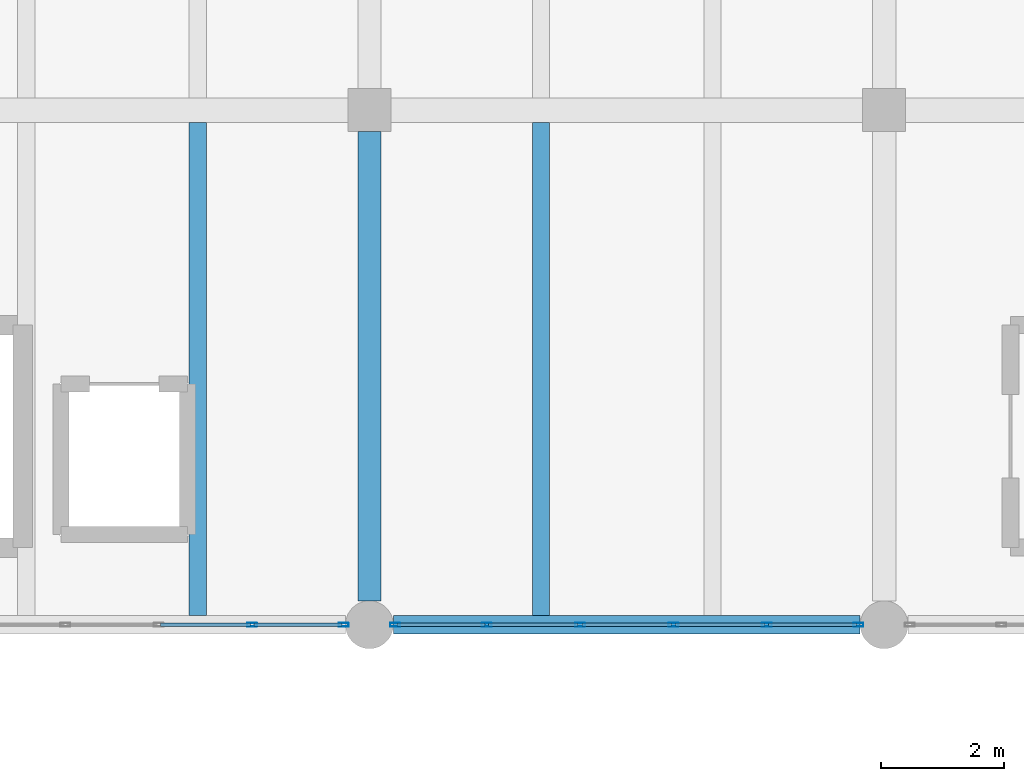
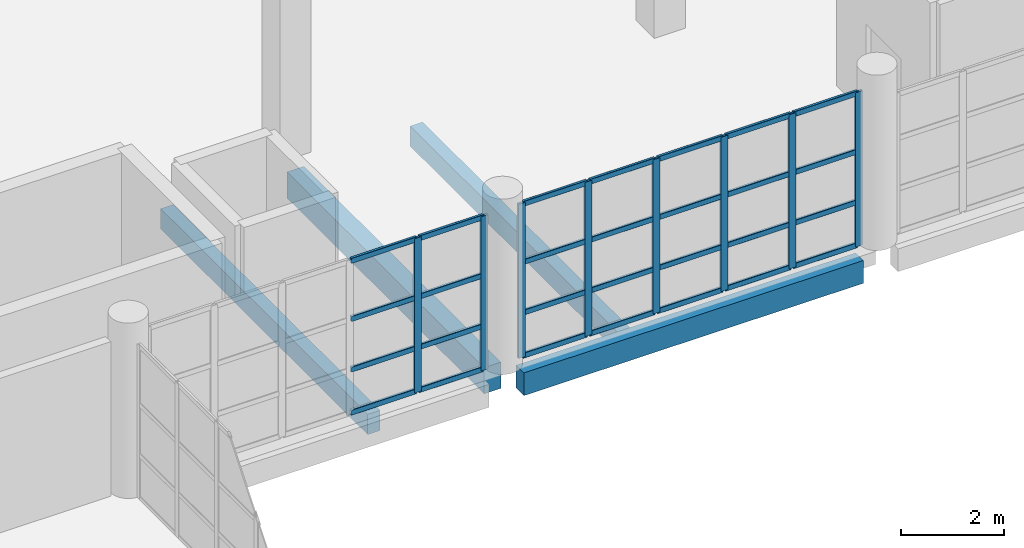
# One storey, part 85 of 177: 36 members, 4 beams, 2 elements without a shape of their own.
"""IFC4 building model written with IfcOpenShell, lengths in metres."""

from ifc_helpers import new_model, si_unit, direction, frame, origin, origin_2d, place, context, subcontext, project, spatial, rectangle, hollow_rectangle, extrude, material, layer, layer_set, material_profile, profile_set, type_object, element, aggregate, save


model = new_model("IFC4")

# Units and contexts
model_context = context("Model", 3, precision=1e-05, world=origin(), true_north=direction((0.0, 1.0)))
body_context = subcontext(model_context, "Body", "Model", "MODEL_VIEW")
ifc_project = project(units=[si_unit("LENGTHUNIT", "METRE"), si_unit("AREAUNIT", "SQUARE_METRE"), si_unit("VOLUMEUNIT", "CUBIC_METRE"), si_unit("PLANEANGLEUNIT", "RADIAN"), si_unit("MASSUNIT", "GRAM", prefix="KILO"), si_unit("THERMODYNAMICTEMPERATUREUNIT", "KELVIN"), si_unit("POWERUNIT", "WATT")], contexts=[model_context])

# Site, building, storey
site_placement = place(None, origin())
site = spatial("IfcSite", under=ifc_project, at=site_placement, CompositionType="ELEMENT")
building_placement = place(site_placement, origin())
building = spatial("IfcBuilding", under=site, at=building_placement, Name="Mavoryth Pier Ferry Terminal", CompositionType="ELEMENT")
storey_placement = place(building_placement, frame((0.0, 0.0, 5.43994140625)))
storey = spatial("IfcBuildingStorey", under=building, at=storey_placement, Name="L01", CompositionType="ELEMENT", Elevation=5.43994140625)

# Beams
ifc_material_1 = material(Name="Concrete C35/45", Category="concrete")
ifc_material_profile_1 = material_profile(ifc_material_1, rectangle(XDim=0.3798828125, YDim=0.6201171875, at=origin_2d()), Name="RC 380x620", Category="concrete")
ifc_profile_set_1 = profile_set([ifc_material_profile_1], Name="Concrete C35/45 - RC 380x620")
beam_type_1 = type_object("IfcBeamType", Name="Girder-RC-380x620", PredefinedType="BEAM", material=ifc_profile_set_1)
beam_1_placement = place(storey_placement, frame((67.199951171875, 72.7900390625, -0.58984375), z_axis=(0.0, 1.0, 0.0), x_axis=(-1.0, 0.0, 0.0)))
element("IfcBeam", 1, at=beam_1_placement, inside=storey, type_object=beam_type_1, Name="Beam B01-BG06-0211", PredefinedType="BEAM", context=body_context, shape_type="SweptSolid", body=[
    extrude(rectangle(XDim=0.3798828125, YDim=0.6201171875, at=origin_2d()), origin(), (0.0, 0.0, 1.0), 7.659912109375),
])
ifc_material_profile_2 = material_profile(ifc_material_1, rectangle(XDim=0.280029296875, YDim=0.47998046875, at=origin_2d()), Name="RC 280x480", Category="concrete")
ifc_profile_set_2 = profile_set([ifc_material_profile_2], Name="Concrete C35/45 - RC 280x480")
beam_type_2 = type_object("IfcBeamType", Name="Joist-RC-280x480", PredefinedType="JOIST", material=ifc_profile_set_2)
for number, where, z_axis, x_axis, name in (
    (2, (64.39990234375, 72.550048828125, -0.52001953125), (0.0, 1.0, 0.0), (-1.0, 0.0, 0.0), "Beam B01-BJ02-0234"),
    (3, (70.0, 72.550048828125, -0.52001953125), (0.0, 1.0, 0.0), (-1.0, 0.0, 0.0), "Beam B01-BJ02-0239"),
):
    element("IfcBeam", number, at=place(storey_placement, frame(where, z_axis=z_axis, x_axis=x_axis)), inside=storey, type_object=beam_type_2, Name=name, PredefinedType="JOIST", context=body_context, shape_type="SweptSolid", body=[
        extrude(rectangle(XDim=0.280029296875, YDim=0.47998046875, at=origin_2d()), origin(), (0.0, 0.0, 1.0), 8.050048828125),
    ])

# Curtain wall, members
ifc_material_2 = material(Name="Anodised Aluminium and Solar-Control Low-E Glass", Category="aluminium")
ifc_layer = layer(ifc_material_2, 0.159912109375, Name="Anodised Aluminium and Solar-Control Low-E Glass", Category="aluminium")
ifc_layer_set = layer_set([ifc_layer], Name="Anodised Aluminium and Solar-Control Low-E Glass - CW-Arrivals-Mod1400")
curtain_wall_type = type_object("IfcCurtainWallType", Name="CW-Arrivals-Mod1400", PredefinedType="USERDEFINED", material=ifc_layer_set)
curtain_wall_1_placement = place(storey_placement, origin())
curtain_wall_1 = element("IfcCurtainWall", 4, at=curtain_wall_1_placement, inside=storey, type_object=curtain_wall_type, Name="Curtain Wall CW-0122-053", ObjectType="UNITISED CURTAIN WALL", PredefinedType="USERDEFINED")
ifc_material_3 = material(Name="Anodised Aluminium EN AW-6063", Category="aluminium")
ifc_material_profile_3 = material_profile(ifc_material_3, hollow_rectangle(XDim=0.06005859375, YDim=0.1650390625, WallThickness=0.00390625, InnerFilletRadius=0.00390625, OuterFilletRadius=0.008056640625, at=origin_2d()), Name="AL-MULL 165x60x4", Category="aluminium")
ifc_profile_set_3 = profile_set([ifc_material_profile_3], Name="Anodised Aluminium EN AW-6063 - AL-MULL 165x60x4")
member_type_1 = type_object("IfcMemberType", Name="Mullion-Alum-165x60", PredefinedType="MULLION", material=ifc_profile_set_3)
member_1_placement = place(storey_placement, frame((65.285888671875, 72.39990234375, 0.0), z_axis=(0.0, 0.0, 1.0), x_axis=(0.0, 1.0, 0.0)))
member_1 = element("IfcMember", 5, at=member_1_placement, type_object=member_type_1, Name="CW04 mullion 5", PredefinedType="MULLION", context=body_context, shape_type="SweptSolid", body=[
    extrude(hollow_rectangle(XDim=0.06005859375, YDim=0.1650390625, WallThickness=0.00390625, InnerFilletRadius=0.00390625, OuterFilletRadius=0.008056640625, at=origin_2d()), origin(), (0.0, 0.0, 1.0), 3.66015625),
])
member_2_placement = place(storey_placement, frame((66.780029296875, 72.39990234375, 0.0), z_axis=(0.0, 0.0, 1.0), x_axis=(0.0, 1.0, 0.0)))
member_2 = element("IfcMember", 6, at=member_2_placement, type_object=member_type_1, Name="CW04 mullion 6", PredefinedType="MULLION", context=body_context, shape_type="SweptSolid", body=[
    extrude(hollow_rectangle(XDim=0.06005859375, YDim=0.1650390625, WallThickness=0.00390625, InnerFilletRadius=0.00390625, OuterFilletRadius=0.008056640625, at=origin_2d()), origin(), (0.0, 0.0, 1.0), 3.66015625),
])

curtain_wall_2_placement = place(storey_placement, origin())
curtain_wall_2 = element("IfcCurtainWall", 7, at=curtain_wall_2_placement, inside=storey, type_object=curtain_wall_type, Name="Curtain Wall CW-0122-056", ObjectType="UNITISED CURTAIN WALL", PredefinedType="USERDEFINED")
member_3_placement = place(storey_placement, frame((67.6201171875, 72.39990234375, 0.0), z_axis=(0.0, 0.0, 1.0), x_axis=(0.0, 1.0, 0.0)))
member_3 = element("IfcMember", 8, at=member_3_placement, type_object=member_type_1, Name="CW04 mullion 1", PredefinedType="MULLION", context=body_context, shape_type="SweptSolid", body=[
    extrude(hollow_rectangle(XDim=0.06005859375, YDim=0.1650390625, WallThickness=0.00390625, InnerFilletRadius=0.00390625, OuterFilletRadius=0.008056640625, at=origin_2d()), origin(), (0.0, 0.0, 1.0), 3.66015625),
])
member_4_placement = place(storey_placement, frame((69.114013671875, 72.39990234375, 0.0), z_axis=(0.0, 0.0, 1.0), x_axis=(0.0, 1.0, 0.0)))
member_4 = element("IfcMember", 9, at=member_4_placement, type_object=member_type_1, Name="CW04 mullion 2", PredefinedType="MULLION", context=body_context, shape_type="SweptSolid", body=[
    extrude(hollow_rectangle(XDim=0.06005859375, YDim=0.1650390625, WallThickness=0.00390625, InnerFilletRadius=0.00390625, OuterFilletRadius=0.008056640625, at=origin_2d()), origin(), (0.0, 0.0, 1.0), 3.66015625),
])
member_5_placement = place(storey_placement, frame((70.637939453125, 72.39990234375, 0.0), z_axis=(0.0, 0.0, 1.0), x_axis=(0.0, 1.0, 0.0)))
member_5 = element("IfcMember", 10, at=member_5_placement, type_object=member_type_1, Name="CW04 mullion 3", PredefinedType="MULLION", context=body_context, shape_type="SweptSolid", body=[
    extrude(hollow_rectangle(XDim=0.06005859375, YDim=0.1650390625, WallThickness=0.00390625, InnerFilletRadius=0.00390625, OuterFilletRadius=0.008056640625, at=origin_2d()), origin(), (0.0, 0.0, 1.0), 3.66015625),
])
member_6_placement = place(storey_placement, frame((72.162109375, 72.39990234375, 0.0), z_axis=(0.0, 0.0, 1.0), x_axis=(0.0, 1.0, 0.0)))
member_6 = element("IfcMember", 11, at=member_6_placement, type_object=member_type_1, Name="CW04 mullion 4", PredefinedType="MULLION", context=body_context, shape_type="SweptSolid", body=[
    extrude(hollow_rectangle(XDim=0.06005859375, YDim=0.1650390625, WallThickness=0.00390625, InnerFilletRadius=0.00390625, OuterFilletRadius=0.008056640625, at=origin_2d()), origin(), (0.0, 0.0, 1.0), 3.66015625),
])
member_7_placement = place(storey_placement, frame((73.68603515625, 72.39990234375, 0.0), z_axis=(0.0, 0.0, 1.0), x_axis=(0.0, 1.0, 0.0)))
member_7 = element("IfcMember", 12, at=member_7_placement, type_object=member_type_1, Name="CW04 mullion 5", PredefinedType="MULLION", context=body_context, shape_type="SweptSolid", body=[
    extrude(hollow_rectangle(XDim=0.06005859375, YDim=0.1650390625, WallThickness=0.00390625, InnerFilletRadius=0.00390625, OuterFilletRadius=0.008056640625, at=origin_2d()), origin(), (0.0, 0.0, 1.0), 3.66015625),
])
member_8_placement = place(storey_placement, frame((75.179931640625, 72.39990234375, 0.0), z_axis=(0.0, 0.0, 1.0), x_axis=(0.0, 1.0, 0.0)))
member_8 = element("IfcMember", 13, at=member_8_placement, type_object=member_type_1, Name="CW04 mullion 6", PredefinedType="MULLION", context=body_context, shape_type="SweptSolid", body=[
    extrude(hollow_rectangle(XDim=0.06005859375, YDim=0.1650390625, WallThickness=0.00390625, InnerFilletRadius=0.00390625, OuterFilletRadius=0.008056640625, at=origin_2d()), origin(), (0.0, 0.0, 1.0), 3.66015625),
])

# Beam
ifc_material_profile_4 = material_profile(ifc_material_1, rectangle(XDim=0.300048828125, YDim=0.5400390625, at=origin_2d()), Name="RC 300x540", Category="concrete")
ifc_profile_set_4 = profile_set([ifc_material_profile_4], Name="Concrete C35/45 - RC 300x540")
beam_type_3 = type_object("IfcBeamType", Name="Spandrel-RC-300x540", PredefinedType="SPANDREL", material=ifc_profile_set_4)
beam_2_placement = place(storey_placement, frame((67.590087890625, 72.39990234375, -0.550048828125), z_axis=(1.0, 0.0, 0.0), x_axis=(0.0, 1.0, 0.0)))
element("IfcBeam", 14, at=beam_2_placement, inside=storey, type_object=beam_type_3, Name="Beam B01-SP02-0181", PredefinedType="SPANDREL", context=body_context, shape_type="SweptSolid", body=[
    extrude(rectangle(XDim=0.300048828125, YDim=0.5400390625, at=origin_2d()), origin(), (0.0, 0.0, 1.0), 7.619873046875),
])

# Member
ifc_material_profile_5 = material_profile(ifc_material_3, hollow_rectangle(XDim=0.06005859375, YDim=0.125, WallThickness=0.00390625, InnerFilletRadius=0.00390625, OuterFilletRadius=0.008056640625, at=origin_2d()), Name="AL-TRAN 125x60x4", Category="aluminium")
ifc_profile_set_5 = profile_set([ifc_material_profile_5], Name="Anodised Aluminium EN AW-6063 - AL-TRAN 125x60x4")
member_type_2 = type_object("IfcMemberType", Name="Transom-Alum-125x60", PredefinedType="USERDEFINED", material=ifc_profile_set_5)
member_9_placement = place(storey_placement, frame((63.7919921875, 72.39990234375, 0.030029296875), z_axis=(1.0, 0.0, 0.0), x_axis=(0.0, 1.0, 0.0)))
member_9 = element("IfcMember", 15, at=member_9_placement, type_object=member_type_2, Name="CW04 transom 4.1", ObjectType="TRANSOM", PredefinedType="USERDEFINED", context=body_context, shape_type="SweptSolid", body=[
    extrude(hollow_rectangle(XDim=0.06005859375, YDim=0.125, WallThickness=0.00390625, InnerFilletRadius=0.00390625, OuterFilletRadius=0.008056640625, at=origin_2d()), origin(), (0.0, 0.0, 1.0), 1.464111328125),
])

member_10_placement = place(storey_placement, frame((63.7919921875, 72.39990234375, 1.050048828125), z_axis=(1.0, 0.0, 0.0), x_axis=(0.0, 1.0, 0.0)))
member_10 = element("IfcMember", 16, at=member_10_placement, type_object=member_type_2, Name="CW04 transom 4.2", ObjectType="TRANSOM", PredefinedType="USERDEFINED", context=body_context, shape_type="SweptSolid", body=[
    extrude(hollow_rectangle(XDim=0.06005859375, YDim=0.125, WallThickness=0.00390625, InnerFilletRadius=0.00390625, OuterFilletRadius=0.008056640625, at=origin_2d()), origin(), (0.0, 0.0, 1.0), 1.464111328125),
])

member_11_placement = place(storey_placement, frame((63.7919921875, 72.39990234375, 2.25), z_axis=(1.0, 0.0, 0.0), x_axis=(0.0, 1.0, 0.0)))
member_11 = element("IfcMember", 17, at=member_11_placement, type_object=member_type_2, Name="CW04 transom 4.3", ObjectType="TRANSOM", PredefinedType="USERDEFINED", context=body_context, shape_type="SweptSolid", body=[
    extrude(hollow_rectangle(XDim=0.06005859375, YDim=0.125, WallThickness=0.00390625, InnerFilletRadius=0.00390625, OuterFilletRadius=0.008056640625, at=origin_2d()), origin(), (0.0, 0.0, 1.0), 1.464111328125),
])

member_12_placement = place(storey_placement, frame((63.7919921875, 72.39990234375, 3.630126953125), z_axis=(1.0, 0.0, 0.0), x_axis=(0.0, 1.0, 0.0)))
member_12 = element("IfcMember", 18, at=member_12_placement, type_object=member_type_2, Name="CW04 transom 4.4", ObjectType="TRANSOM", PredefinedType="USERDEFINED", context=body_context, shape_type="SweptSolid", body=[
    extrude(hollow_rectangle(XDim=0.06005859375, YDim=0.125, WallThickness=0.00390625, InnerFilletRadius=0.00390625, OuterFilletRadius=0.008056640625, at=origin_2d()), origin(), (0.0, 0.0, 1.0), 1.464111328125),
])

member_13_placement = place(storey_placement, frame((65.31591796875, 72.39990234375, 0.030029296875), z_axis=(1.0, 0.0, 0.0), x_axis=(0.0, 1.0, 0.0)))
member_13 = element("IfcMember", 19, at=member_13_placement, type_object=member_type_2, Name="CW04 transom 5.1", ObjectType="TRANSOM", PredefinedType="USERDEFINED", context=body_context, shape_type="SweptSolid", body=[
    extrude(hollow_rectangle(XDim=0.06005859375, YDim=0.125, WallThickness=0.00390625, InnerFilletRadius=0.00390625, OuterFilletRadius=0.008056640625, at=origin_2d()), origin(), (0.0, 0.0, 1.0), 1.43408203125),
])

member_14_placement = place(storey_placement, frame((65.31591796875, 72.39990234375, 1.050048828125), z_axis=(1.0, 0.0, 0.0), x_axis=(0.0, 1.0, 0.0)))
member_14 = element("IfcMember", 20, at=member_14_placement, type_object=member_type_2, Name="CW04 transom 5.2", ObjectType="TRANSOM", PredefinedType="USERDEFINED", context=body_context, shape_type="SweptSolid", body=[
    extrude(hollow_rectangle(XDim=0.06005859375, YDim=0.125, WallThickness=0.00390625, InnerFilletRadius=0.00390625, OuterFilletRadius=0.008056640625, at=origin_2d()), origin(), (0.0, 0.0, 1.0), 1.43408203125),
])

member_15_placement = place(storey_placement, frame((65.31591796875, 72.39990234375, 2.25), z_axis=(1.0, 0.0, 0.0), x_axis=(0.0, 1.0, 0.0)))
member_15 = element("IfcMember", 21, at=member_15_placement, type_object=member_type_2, Name="CW04 transom 5.3", ObjectType="TRANSOM", PredefinedType="USERDEFINED", context=body_context, shape_type="SweptSolid", body=[
    extrude(hollow_rectangle(XDim=0.06005859375, YDim=0.125, WallThickness=0.00390625, InnerFilletRadius=0.00390625, OuterFilletRadius=0.008056640625, at=origin_2d()), origin(), (0.0, 0.0, 1.0), 1.43408203125),
])

member_16_placement = place(storey_placement, frame((65.31591796875, 72.39990234375, 3.630126953125), z_axis=(1.0, 0.0, 0.0), x_axis=(0.0, 1.0, 0.0)))
member_16 = element("IfcMember", 22, at=member_16_placement, type_object=member_type_2, Name="CW04 transom 5.4", ObjectType="TRANSOM", PredefinedType="USERDEFINED", context=body_context, shape_type="SweptSolid", body=[
    extrude(hollow_rectangle(XDim=0.06005859375, YDim=0.125, WallThickness=0.00390625, InnerFilletRadius=0.00390625, OuterFilletRadius=0.008056640625, at=origin_2d()), origin(), (0.0, 0.0, 1.0), 1.43408203125),
])

aggregate(curtain_wall_1, [member_1, member_2, member_9, member_10, member_11, member_12, member_13, member_14, member_15, member_16])

member_17_placement = place(storey_placement, frame((67.64990234375, 72.39990234375, 0.030029296875), z_axis=(1.0, 0.0, 0.0), x_axis=(0.0, 1.0, 0.0)))
member_17 = element("IfcMember", 23, at=member_17_placement, type_object=member_type_2, Name="CW04 transom 1.1", ObjectType="TRANSOM", PredefinedType="USERDEFINED", context=body_context, shape_type="SweptSolid", body=[
    extrude(hollow_rectangle(XDim=0.06005859375, YDim=0.125, WallThickness=0.00390625, InnerFilletRadius=0.00390625, OuterFilletRadius=0.008056640625, at=origin_2d()), origin(), (0.0, 0.0, 1.0), 1.43408203125),
])

member_18_placement = place(storey_placement, frame((67.64990234375, 72.39990234375, 1.050048828125), z_axis=(1.0, 0.0, 0.0), x_axis=(0.0, 1.0, 0.0)))
member_18 = element("IfcMember", 24, at=member_18_placement, type_object=member_type_2, Name="CW04 transom 1.2", ObjectType="TRANSOM", PredefinedType="USERDEFINED", context=body_context, shape_type="SweptSolid", body=[
    extrude(hollow_rectangle(XDim=0.06005859375, YDim=0.125, WallThickness=0.00390625, InnerFilletRadius=0.00390625, OuterFilletRadius=0.008056640625, at=origin_2d()), origin(), (0.0, 0.0, 1.0), 1.43408203125),
])

member_19_placement = place(storey_placement, frame((67.64990234375, 72.39990234375, 2.25), z_axis=(1.0, 0.0, 0.0), x_axis=(0.0, 1.0, 0.0)))
member_19 = element("IfcMember", 25, at=member_19_placement, type_object=member_type_2, Name="CW04 transom 1.3", ObjectType="TRANSOM", PredefinedType="USERDEFINED", context=body_context, shape_type="SweptSolid", body=[
    extrude(hollow_rectangle(XDim=0.06005859375, YDim=0.125, WallThickness=0.00390625, InnerFilletRadius=0.00390625, OuterFilletRadius=0.008056640625, at=origin_2d()), origin(), (0.0, 0.0, 1.0), 1.43408203125),
])

member_20_placement = place(storey_placement, frame((67.64990234375, 72.39990234375, 3.630126953125), z_axis=(1.0, 0.0, 0.0), x_axis=(0.0, 1.0, 0.0)))
member_20 = element("IfcMember", 26, at=member_20_placement, type_object=member_type_2, Name="CW04 transom 1.4", ObjectType="TRANSOM", PredefinedType="USERDEFINED", context=body_context, shape_type="SweptSolid", body=[
    extrude(hollow_rectangle(XDim=0.06005859375, YDim=0.125, WallThickness=0.00390625, InnerFilletRadius=0.00390625, OuterFilletRadius=0.008056640625, at=origin_2d()), origin(), (0.0, 0.0, 1.0), 1.43408203125),
])

member_21_placement = place(storey_placement, frame((69.14404296875, 72.39990234375, 0.030029296875), z_axis=(1.0, 0.0, 0.0), x_axis=(0.0, 1.0, 0.0)))
member_21 = element("IfcMember", 27, at=member_21_placement, type_object=member_type_2, Name="CW04 transom 2.1", ObjectType="TRANSOM", PredefinedType="USERDEFINED", context=body_context, shape_type="SweptSolid", body=[
    extrude(hollow_rectangle(XDim=0.06005859375, YDim=0.125, WallThickness=0.00390625, InnerFilletRadius=0.00390625, OuterFilletRadius=0.008056640625, at=origin_2d()), origin(), (0.0, 0.0, 1.0), 1.4638671875),
])

member_22_placement = place(storey_placement, frame((69.14404296875, 72.39990234375, 1.050048828125), z_axis=(1.0, 0.0, 0.0), x_axis=(0.0, 1.0, 0.0)))
member_22 = element("IfcMember", 28, at=member_22_placement, type_object=member_type_2, Name="CW04 transom 2.2", ObjectType="TRANSOM", PredefinedType="USERDEFINED", context=body_context, shape_type="SweptSolid", body=[
    extrude(hollow_rectangle(XDim=0.06005859375, YDim=0.125, WallThickness=0.00390625, InnerFilletRadius=0.00390625, OuterFilletRadius=0.008056640625, at=origin_2d()), origin(), (0.0, 0.0, 1.0), 1.4638671875),
])

member_23_placement = place(storey_placement, frame((69.14404296875, 72.39990234375, 2.25), z_axis=(1.0, 0.0, 0.0), x_axis=(0.0, 1.0, 0.0)))
member_23 = element("IfcMember", 29, at=member_23_placement, type_object=member_type_2, Name="CW04 transom 2.3", ObjectType="TRANSOM", PredefinedType="USERDEFINED", context=body_context, shape_type="SweptSolid", body=[
    extrude(hollow_rectangle(XDim=0.06005859375, YDim=0.125, WallThickness=0.00390625, InnerFilletRadius=0.00390625, OuterFilletRadius=0.008056640625, at=origin_2d()), origin(), (0.0, 0.0, 1.0), 1.4638671875),
])

member_24_placement = place(storey_placement, frame((69.14404296875, 72.39990234375, 3.630126953125), z_axis=(1.0, 0.0, 0.0), x_axis=(0.0, 1.0, 0.0)))
member_24 = element("IfcMember", 30, at=member_24_placement, type_object=member_type_2, Name="CW04 transom 2.4", ObjectType="TRANSOM", PredefinedType="USERDEFINED", context=body_context, shape_type="SweptSolid", body=[
    extrude(hollow_rectangle(XDim=0.06005859375, YDim=0.125, WallThickness=0.00390625, InnerFilletRadius=0.00390625, OuterFilletRadius=0.008056640625, at=origin_2d()), origin(), (0.0, 0.0, 1.0), 1.4638671875),
])

member_25_placement = place(storey_placement, frame((70.66796875, 72.39990234375, 0.030029296875), z_axis=(1.0, 0.0, 0.0), x_axis=(0.0, 1.0, 0.0)))
member_25 = element("IfcMember", 31, at=member_25_placement, type_object=member_type_2, Name="CW04 transom 3.1", ObjectType="TRANSOM", PredefinedType="USERDEFINED", context=body_context, shape_type="SweptSolid", body=[
    extrude(hollow_rectangle(XDim=0.06005859375, YDim=0.125, WallThickness=0.00390625, InnerFilletRadius=0.00390625, OuterFilletRadius=0.008056640625, at=origin_2d()), origin(), (0.0, 0.0, 1.0), 1.464111328125),
])

member_26_placement = place(storey_placement, frame((70.66796875, 72.39990234375, 1.050048828125), z_axis=(1.0, 0.0, 0.0), x_axis=(0.0, 1.0, 0.0)))
member_26 = element("IfcMember", 32, at=member_26_placement, type_object=member_type_2, Name="CW04 transom 3.2", ObjectType="TRANSOM", PredefinedType="USERDEFINED", context=body_context, shape_type="SweptSolid", body=[
    extrude(hollow_rectangle(XDim=0.06005859375, YDim=0.125, WallThickness=0.00390625, InnerFilletRadius=0.00390625, OuterFilletRadius=0.008056640625, at=origin_2d()), origin(), (0.0, 0.0, 1.0), 1.464111328125),
])

member_27_placement = place(storey_placement, frame((70.66796875, 72.39990234375, 2.25), z_axis=(1.0, 0.0, 0.0), x_axis=(0.0, 1.0, 0.0)))
member_27 = element("IfcMember", 33, at=member_27_placement, type_object=member_type_2, Name="CW04 transom 3.3", ObjectType="TRANSOM", PredefinedType="USERDEFINED", context=body_context, shape_type="SweptSolid", body=[
    extrude(hollow_rectangle(XDim=0.06005859375, YDim=0.125, WallThickness=0.00390625, InnerFilletRadius=0.00390625, OuterFilletRadius=0.008056640625, at=origin_2d()), origin(), (0.0, 0.0, 1.0), 1.464111328125),
])

member_28_placement = place(storey_placement, frame((70.66796875, 72.39990234375, 3.630126953125), z_axis=(1.0, 0.0, 0.0), x_axis=(0.0, 1.0, 0.0)))
member_28 = element("IfcMember", 34, at=member_28_placement, type_object=member_type_2, Name="CW04 transom 3.4", ObjectType="TRANSOM", PredefinedType="USERDEFINED", context=body_context, shape_type="SweptSolid", body=[
    extrude(hollow_rectangle(XDim=0.06005859375, YDim=0.125, WallThickness=0.00390625, InnerFilletRadius=0.00390625, OuterFilletRadius=0.008056640625, at=origin_2d()), origin(), (0.0, 0.0, 1.0), 1.464111328125),
])

member_29_placement = place(storey_placement, frame((72.19189453125, 72.39990234375, 0.030029296875), z_axis=(1.0, 0.0, 0.0), x_axis=(0.0, 1.0, 0.0)))
member_29 = element("IfcMember", 35, at=member_29_placement, type_object=member_type_2, Name="CW04 transom 4.1", ObjectType="TRANSOM", PredefinedType="USERDEFINED", context=body_context, shape_type="SweptSolid", body=[
    extrude(hollow_rectangle(XDim=0.06005859375, YDim=0.125, WallThickness=0.00390625, InnerFilletRadius=0.00390625, OuterFilletRadius=0.008056640625, at=origin_2d()), origin(), (0.0, 0.0, 1.0), 1.464111328125),
])

member_30_placement = place(storey_placement, frame((72.19189453125, 72.39990234375, 1.050048828125), z_axis=(1.0, 0.0, 0.0), x_axis=(0.0, 1.0, 0.0)))
member_30 = element("IfcMember", 36, at=member_30_placement, type_object=member_type_2, Name="CW04 transom 4.2", ObjectType="TRANSOM", PredefinedType="USERDEFINED", context=body_context, shape_type="SweptSolid", body=[
    extrude(hollow_rectangle(XDim=0.06005859375, YDim=0.125, WallThickness=0.00390625, InnerFilletRadius=0.00390625, OuterFilletRadius=0.008056640625, at=origin_2d()), origin(), (0.0, 0.0, 1.0), 1.464111328125),
])

member_31_placement = place(storey_placement, frame((72.19189453125, 72.39990234375, 2.25), z_axis=(1.0, 0.0, 0.0), x_axis=(0.0, 1.0, 0.0)))
member_31 = element("IfcMember", 37, at=member_31_placement, type_object=member_type_2, Name="CW04 transom 4.3", ObjectType="TRANSOM", PredefinedType="USERDEFINED", context=body_context, shape_type="SweptSolid", body=[
    extrude(hollow_rectangle(XDim=0.06005859375, YDim=0.125, WallThickness=0.00390625, InnerFilletRadius=0.00390625, OuterFilletRadius=0.008056640625, at=origin_2d()), origin(), (0.0, 0.0, 1.0), 1.464111328125),
])

member_32_placement = place(storey_placement, frame((72.19189453125, 72.39990234375, 3.630126953125), z_axis=(1.0, 0.0, 0.0), x_axis=(0.0, 1.0, 0.0)))
member_32 = element("IfcMember", 38, at=member_32_placement, type_object=member_type_2, Name="CW04 transom 4.4", ObjectType="TRANSOM", PredefinedType="USERDEFINED", context=body_context, shape_type="SweptSolid", body=[
    extrude(hollow_rectangle(XDim=0.06005859375, YDim=0.125, WallThickness=0.00390625, InnerFilletRadius=0.00390625, OuterFilletRadius=0.008056640625, at=origin_2d()), origin(), (0.0, 0.0, 1.0), 1.464111328125),
])

member_33_placement = place(storey_placement, frame((73.716064453125, 72.39990234375, 0.030029296875), z_axis=(1.0, 0.0, 0.0), x_axis=(0.0, 1.0, 0.0)))
member_33 = element("IfcMember", 39, at=member_33_placement, type_object=member_type_2, Name="CW04 transom 5.1", ObjectType="TRANSOM", PredefinedType="USERDEFINED", context=body_context, shape_type="SweptSolid", body=[
    extrude(hollow_rectangle(XDim=0.06005859375, YDim=0.125, WallThickness=0.00390625, InnerFilletRadius=0.00390625, OuterFilletRadius=0.008056640625, at=origin_2d()), origin(), (0.0, 0.0, 1.0), 1.433837890625),
])

member_34_placement = place(storey_placement, frame((73.716064453125, 72.39990234375, 1.050048828125), z_axis=(1.0, 0.0, 0.0), x_axis=(0.0, 1.0, 0.0)))
member_34 = element("IfcMember", 40, at=member_34_placement, type_object=member_type_2, Name="CW04 transom 5.2", ObjectType="TRANSOM", PredefinedType="USERDEFINED", context=body_context, shape_type="SweptSolid", body=[
    extrude(hollow_rectangle(XDim=0.06005859375, YDim=0.125, WallThickness=0.00390625, InnerFilletRadius=0.00390625, OuterFilletRadius=0.008056640625, at=origin_2d()), origin(), (0.0, 0.0, 1.0), 1.433837890625),
])

member_35_placement = place(storey_placement, frame((73.716064453125, 72.39990234375, 2.25), z_axis=(1.0, 0.0, 0.0), x_axis=(0.0, 1.0, 0.0)))
member_35 = element("IfcMember", 41, at=member_35_placement, type_object=member_type_2, Name="CW04 transom 5.3", ObjectType="TRANSOM", PredefinedType="USERDEFINED", context=body_context, shape_type="SweptSolid", body=[
    extrude(hollow_rectangle(XDim=0.06005859375, YDim=0.125, WallThickness=0.00390625, InnerFilletRadius=0.00390625, OuterFilletRadius=0.008056640625, at=origin_2d()), origin(), (0.0, 0.0, 1.0), 1.433837890625),
])

member_36_placement = place(storey_placement, frame((73.716064453125, 72.39990234375, 3.630126953125), z_axis=(1.0, 0.0, 0.0), x_axis=(0.0, 1.0, 0.0)))
member_36 = element("IfcMember", 42, at=member_36_placement, type_object=member_type_2, Name="CW04 transom 5.4", ObjectType="TRANSOM", PredefinedType="USERDEFINED", context=body_context, shape_type="SweptSolid", body=[
    extrude(hollow_rectangle(XDim=0.06005859375, YDim=0.125, WallThickness=0.00390625, InnerFilletRadius=0.00390625, OuterFilletRadius=0.008056640625, at=origin_2d()), origin(), (0.0, 0.0, 1.0), 1.433837890625),
])

aggregate(curtain_wall_2, [member_3, member_4, member_5, member_6, member_7, member_8, member_17, member_18, member_19, member_20, member_21, member_22, member_23, member_24, member_25, member_26, member_27, member_28, member_29, member_30, member_31, member_32, member_33, member_34, member_35, member_36])

save(model, "model.ifc")
